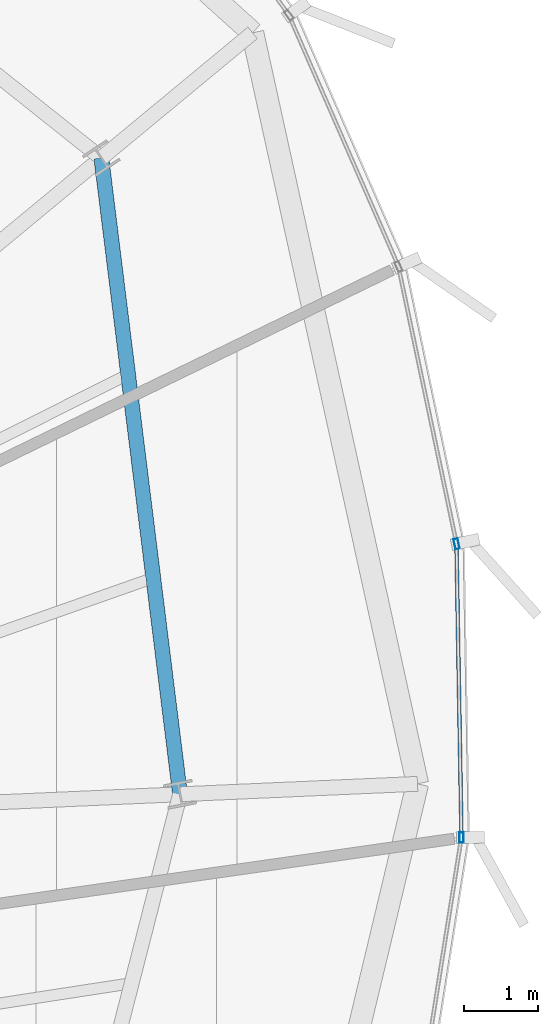
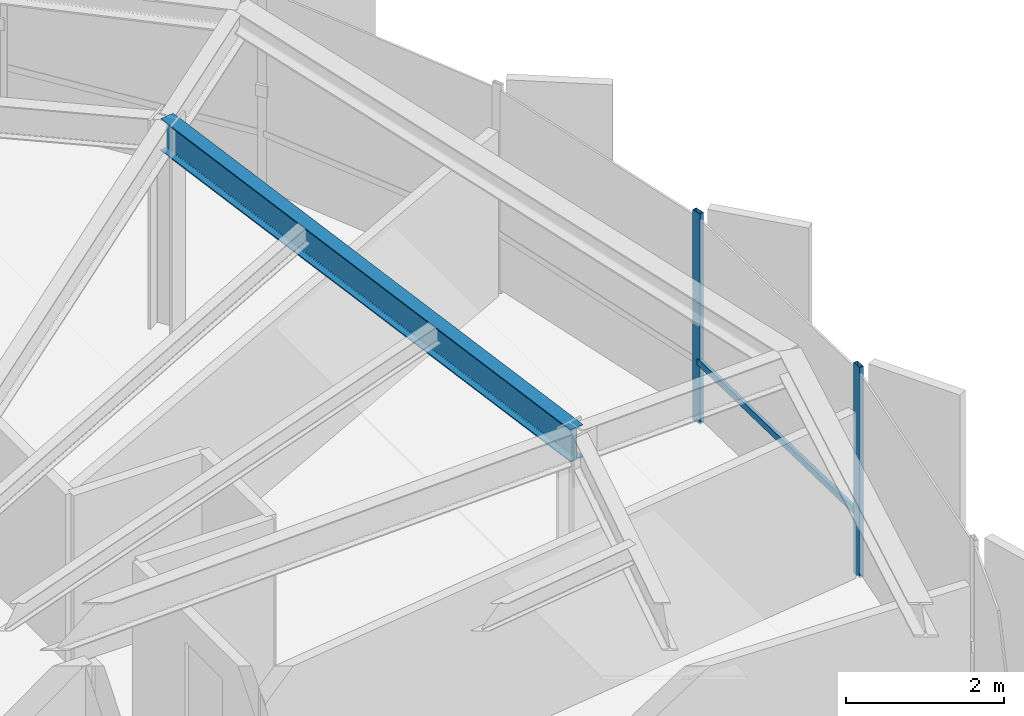
# One storey, part 18 of 35: 3 members, 1 beam, 1 element without a shape of its own.
"""IFC4 building model written with IfcOpenShell, lengths in metres."""

from ifc_helpers import new_model, si_unit, direction, frame, origin, origin_2d, place, context, subcontext, project, spatial, hollow_rectangle, i_section, extrude, source, transform, mapped, material, layer, layer_set, material_profile, profile_set, type_object, element, aggregate, save


model = new_model("IFC4")

# Units and contexts
model_context = context("Model", 3, precision=1e-05, world=origin(), true_north=direction((0.0, 1.0)))
body_context = subcontext(model_context, "Body", "Model", "MODEL_VIEW")
ifc_project = project(units=[si_unit("LENGTHUNIT", "METRE"), si_unit("AREAUNIT", "SQUARE_METRE"), si_unit("VOLUMEUNIT", "CUBIC_METRE"), si_unit("PLANEANGLEUNIT", "RADIAN"), si_unit("MASSUNIT", "GRAM", prefix="KILO"), si_unit("THERMODYNAMICTEMPERATUREUNIT", "KELVIN")], contexts=[model_context])

# Site, building, storey
site_placement = place(None, origin())
site = spatial("IfcSite", under=ifc_project, at=site_placement, CompositionType="ELEMENT")
building_placement = place(site_placement, origin())
building = spatial("IfcBuilding", under=site, at=building_placement, Name="Kethvar Cultural Tower", CompositionType="ELEMENT")
storey_placement = place(building_placement, frame((0.0, 0.0, 204.39990234375)))
storey = spatial("IfcBuildingStorey", under=building, at=storey_placement, Name="L53", CompositionType="ELEMENT", Elevation=204.39990234375)

# Beam
ifc_material_1 = material(Name="Steel S355J2", Category="steel")
ifc_material_profile_1 = material_profile(ifc_material_1, i_section(OverallWidth=0.199951171875, OverallDepth=0.5, WebThickness=0.01025390625, FlangeThickness=0.01611328125, FilletRadius=0.02099609375, at=origin_2d()), Name="Steel S355J2 — IPE500")
ifc_profile_set_1 = profile_set([ifc_material_profile_1], Name="Steel S355J2 — IPE500")
beam_type = type_object("IfcBeamType", Name="BM-IPE500", PredefinedType="BEAM", material=ifc_profile_set_1)
shared_shape_1 = source(origin(), body_context, "Body", "SweptSolid", [
    extrude(i_section(OverallWidth=0.199951171875, OverallDepth=0.5, WebThickness=0.01025390625, FlangeThickness=0.01611328125, FilletRadius=0.02099609375, at=origin_2d()), origin(), (0.0, 0.0, 1.0), 8.6318359375),
])
beam_placement = place(storey_placement, frame((66.56396484375, 31.731201171875, 3.008056640625), z_axis=(-0.122781430908, 0.992433735936, 0.0), x_axis=(-0.992433735936, -0.122781430908, 0.0)))
element("IfcBeam", 1, at=beam_placement, inside=storey, type_object=beam_type, Name="L53 Column Ring Tie Beam CR-01", PredefinedType="BEAM", context=body_context, shape_type="MappedRepresentation", body=[
    mapped(shared_shape_1, transform((0.0, 0.0, 0.0), scale=1.0)),
])

# Curtain wall, members
ifc_material_2 = material(Name="Aluminium 6063-T6", Category="aluminium")
ifc_layer = layer(ifc_material_2, 0.179931640625, Name="Aluminium 6063-T6", Category="aluminium")
ifc_layer_set = layer_set([ifc_layer], Name="Aluminium 6063-T6 (180 mm)")
curtain_wall_type = type_object("IfcCurtainWallType", Name="CW-SYS-04-Z34", PredefinedType="NOTDEFINED", material=ifc_layer_set)
curtain_wall_placement = place(storey_placement, origin())
curtain_wall = element("IfcCurtainWall", 2, at=curtain_wall_placement, inside=storey, type_object=curtain_wall_type, Name="L53 Curtain Wall Run 06", PredefinedType="NOTDEFINED")
ifc_material_profile_2 = material_profile(ifc_material_2, hollow_rectangle(XDim=0.06005859375, YDim=0.139892578125, WallThickness=0.0048828125, at=origin_2d()), Name="Aluminium 6063-T6 — RHS140x60x5")
ifc_profile_set_2 = profile_set([ifc_material_profile_2], Name="Aluminium 6063-T6 — RHS140x60x5")
member_type_1 = type_object("IfcMemberType", Name="CW-SYS-04-Z34-MUL", PredefinedType="MULLION", material=ifc_profile_set_2)
shared_shape_2 = source(origin(), body_context, "Body", "SweptSolid", [
    extrude(hollow_rectangle(XDim=0.06005859375, YDim=0.139892578125, WallThickness=0.0048828125, at=origin_2d()), origin(), (0.0, 0.0, 1.0), 3.260009765625),
])
member_1_placement = place(storey_placement, frame((70.353759765625, 31.1474609375, 0.0), z_axis=(0.0, 0.0, 1.0), x_axis=(-0.999850424239, -0.017295350514, 0.0)))
member_1 = element("IfcMember", 3, at=member_1_placement, type_object=member_type_1, Name="CW-L53-R06 Mullion 3", PredefinedType="MULLION", context=body_context, shape_type="MappedRepresentation", body=[
    mapped(shared_shape_2, transform((0.0, 0.0, 0.0), scale=1.0)),
])
member_2_placement = place(storey_placement, frame((70.287353515625, 35.103515625, 0.0), z_axis=(0.0, 0.0, 1.0), x_axis=(-0.978702893352, -0.20528187096, 0.0)))
member_2 = element("IfcMember", 4, at=member_2_placement, type_object=member_type_1, Name="CW-L53-R06 Mullion 4", PredefinedType="MULLION", context=body_context, shape_type="MappedRepresentation", body=[
    mapped(shared_shape_2, transform((0.0, 0.0, 0.0), scale=1.0)),
])
ifc_material_profile_3 = material_profile(ifc_material_2, hollow_rectangle(XDim=0.050048828125, YDim=0.10009765625, WallThickness=0.00390625, at=origin_2d()), Name="Aluminium 6063-T6 — RHS100x50x4")
ifc_profile_set_3 = profile_set([ifc_material_profile_3], Name="Aluminium 6063-T6 — RHS100x50x4")
member_type_2 = type_object("IfcMemberType", Name="CW-SYS-04-Z34-TRN", PredefinedType="USERDEFINED", material=ifc_profile_set_3)
shared_shape_3 = source(origin(), body_context, "Body", "SweptSolid", [
    extrude(hollow_rectangle(XDim=0.050048828125, YDim=0.10009765625, WallThickness=0.00390625, at=origin_2d()), origin(), (0.0, 0.0, 1.0), 3.890625),
])
member_3_placement = place(storey_placement, frame((70.35302734375, 31.190673828125, 0.9501953125), z_axis=(-0.017256122321, 0.999851102036, 0.0), x_axis=(-0.999851102036, -0.017256122321, 0.0)))
member_3 = element("IfcMember", 5, at=member_3_placement, type_object=member_type_2, Name="CW-L53-R06 Transom 3", ObjectType="TRANSOM", PredefinedType="USERDEFINED", context=body_context, shape_type="MappedRepresentation", body=[
    mapped(shared_shape_3, transform((0.0, 0.0, 0.0), scale=1.0)),
])
aggregate(curtain_wall, [member_1, member_2, member_3])

save(model, "model.ifc")
